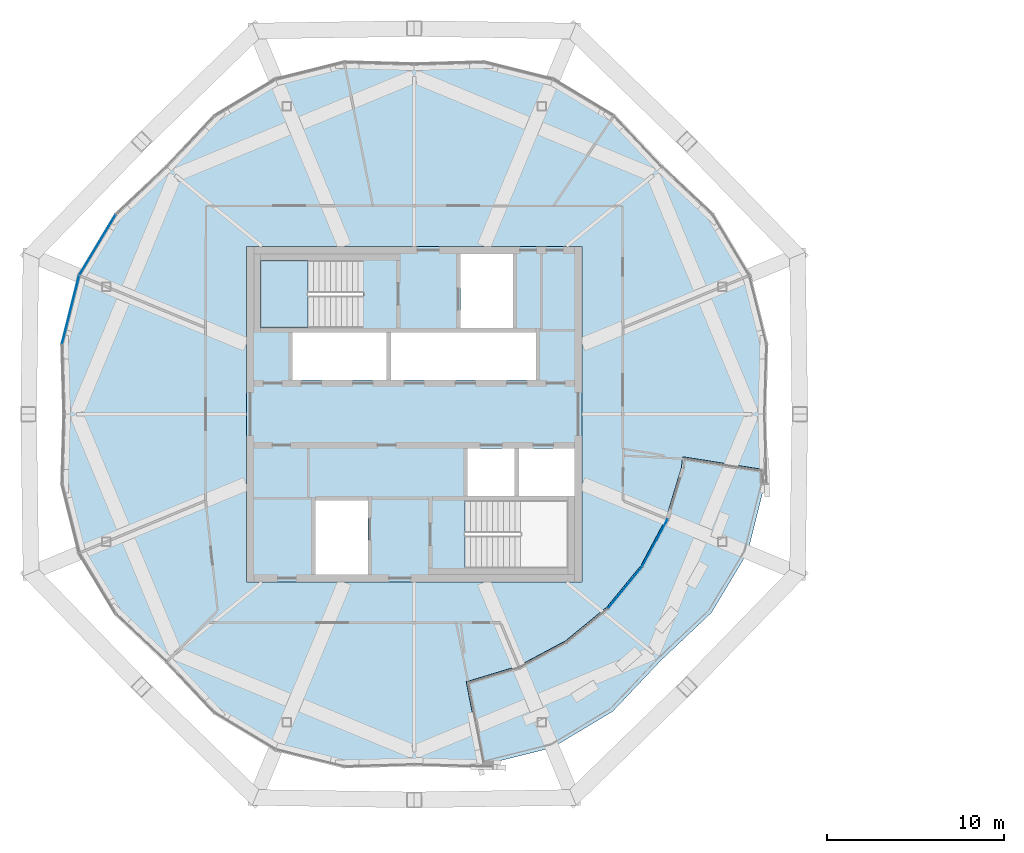
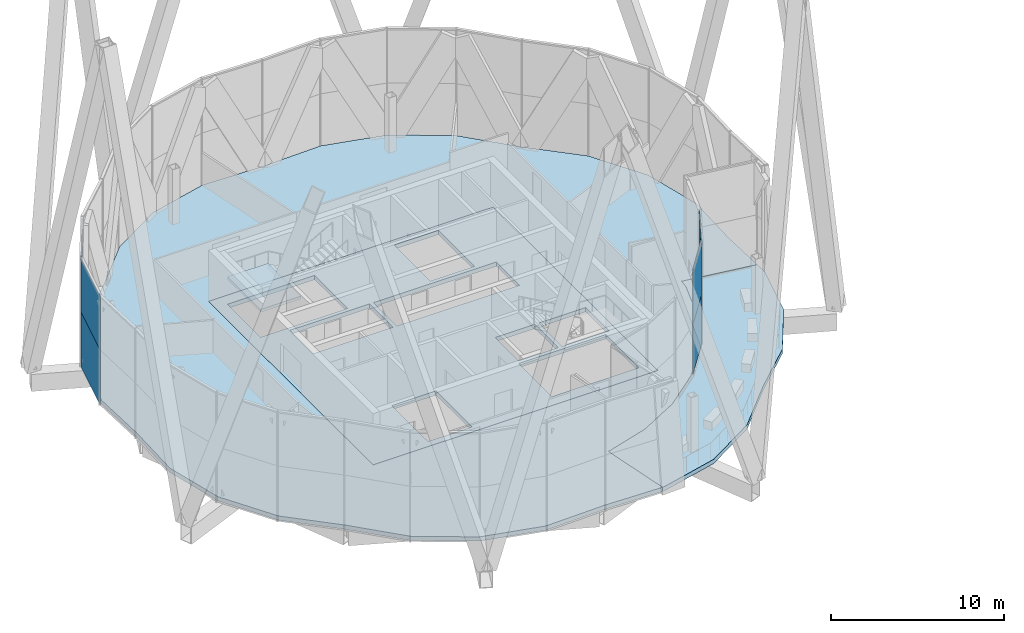
# One storey, part 41 of 53: 8 plates, 4 slabs, 3 elements without a shape of their own.
"""IFC4 building model written with IfcOpenShell, lengths in metres."""

from ifc_helpers import new_model, si_unit, direction, frame, origin, origin_2d, place, context, subcontext, project, spatial, polyline, rectangle, outline, extrude, material, layer, layer_set, type_object, element, aggregate, save


model = new_model("IFC4")

# Units and contexts
model_context = context("Model", 3, precision=1e-05, world=origin(), true_north=direction((0.0, 1.0)))
body_context = subcontext(model_context, "Body", "Model", "MODEL_VIEW")
ifc_project = project(units=[si_unit("LENGTHUNIT", "METRE"), si_unit("AREAUNIT", "SQUARE_METRE"), si_unit("VOLUMEUNIT", "CUBIC_METRE"), si_unit("PLANEANGLEUNIT", "RADIAN"), si_unit("MASSUNIT", "GRAM", prefix="KILO")], contexts=[model_context])

# Site, building, storey
site_placement = place(None, origin())
site = spatial("IfcSite", under=ifc_project, at=site_placement, CompositionType="ELEMENT")
building_placement = place(site_placement, origin())
building = spatial("IfcBuilding", under=site, at=building_placement, Name="Ogive Gate Towers", CompositionType="ELEMENT")
storey_placement = place(building_placement, frame((0.0, 0.0, 240.60009765625)))
storey = spatial("IfcBuildingStorey", under=building, at=storey_placement, Name="L57", CompositionType="ELEMENT", Elevation=240.60009765625)

# Slabs
ifc_material_1 = material(Name="Concrete C40/50", Category="concrete")
ifc_layer_1 = layer(ifc_material_1, 0.300048828125)
ifc_layer_set_1 = layer_set([ifc_layer_1], Name="Core slab C40/50 300 mm")
slab_type_1 = type_object("IfcSlabType", Name="Core slab C40/50 300 mm", PredefinedType="FLOOR", material=ifc_layer_set_1)
slab_1_placement = place(storey_placement, frame((0.0, 0.0, -0.300048828125)))
element("IfcSlab", 1, at=slab_1_placement, inside=storey, type_object=slab_type_1, Name="T1 L57 core slab", PredefinedType="FLOOR", context=body_context, shape_type="SweptSolid", body=[
    extrude(outline(polyline([(-45.5, -9.5), (-45.5, 9.5), (-26.5, 9.5), (-26.5, -9.5), (-45.5, -9.5)]), holes=[polyline([(-42.875, 1.925048828125), (-37.574951171875, 1.925048828125), (-37.574951171875, 4.625), (-42.875, 4.625), (-42.875, 1.925048828125)]), polyline([(-37.324951171875, 4.625), (-37.324951171875, 1.925048828125), (-29.125, 1.925048828125), (-29.125, 4.625), (-37.324951171875, 4.625)]), polyline([(-30.324951171875, -1.925048828125), (-32.97509765625, -1.925048828125), (-32.97509765625, -4.625), (-30.324951171875, -4.625), (-30.324951171875, -1.925048828125)]), polyline([(-26.949951171875, -4.625), (-26.949951171875, -1.925048828125), (-30.074951171875, -1.925048828125), (-30.074951171875, -4.625), (-26.949951171875, -4.625)]), polyline([(-33.375, 4.875), (-30.425048828125, 4.875), (-30.425048828125, 9.050048828125), (-33.375, 9.050048828125), (-33.375, 4.875)]), polyline([(-41.574951171875, -4.875), (-41.574951171875, -9.050048828125), (-38.625, -9.050048828125), (-38.625, -4.875), (-41.574951171875, -4.875)]), polyline([(-44.699951171875, 4.875), (-38.885009765625, 4.875), (-38.885009765625, 8.699951171875), (-44.699951171875, 8.699951171875), (-44.699951171875, 4.875)]), polyline([(-27.300048828125, -8.699951171875), (-27.300048828125, -4.875), (-33.114990234375, -4.875), (-33.114990234375, -8.699951171875), (-27.300048828125, -8.699951171875)])]), origin(), (0.0, 0.0, 1.0), 0.300048828125),
])
ifc_material_2 = material(Name="Concrete C35/45", Category="concrete")
ifc_layer_2 = layer(ifc_material_2, 0.300048828125)
ifc_layer_set_2 = layer_set([ifc_layer_2], Name="Floor slab 300")
slab_type_2 = type_object("IfcSlabType", Name="Floor slab 300", PredefinedType="FLOOR", material=ifc_layer_set_2)
slab_2_placement = place(storey_placement, frame((0.0, 0.0, -0.300048828125)))
element("IfcSlab", 2, at=slab_2_placement, inside=storey, type_object=slab_type_2, Name="T1/L57/SSL001", PredefinedType="FLOOR", context=body_context, shape_type="SweptSolid", body=[
    extrude(outline(polyline([(-39.94287109375, -19.82177734375), (-36.0, -19.7099609375), (-32.05712890625, -19.82177734375), (-32.1474609375, -19.819091796875), (-33.060791015625, -15.12060546875), (-32.99365234375, -15.114013671875), (-30.102783203125, -14.237060546875), (-27.438720703125, -12.81298828125), (-25.103515625, -10.896484375), (-23.18701171875, -8.561279296875), (-21.762939453125, -5.897216796875), (-20.885986328125, -3.00634765625), (-20.82666015625, -2.4033203125), (-16.201171875, -3.1357421875), (-16.17822265625, -3.94287109375), (-16.2900390625, 0.0), (-16.17822265625, 3.94287109375), (-17.1435546875, 7.810546875), (-19.196044921875, 11.22802734375), (-22.06298828125, 13.93701171875), (-24.77197265625, 16.803955078125), (-28.189453125, 18.8564453125), (-32.05712890625, 19.82177734375), (-36.0, 19.7099609375), (-39.94287109375, 19.82177734375), (-43.810546875, 18.8564453125), (-47.22802734375, 16.803955078125), (-49.93701171875, 13.93701171875), (-52.803955078125, 11.22802734375), (-54.8564453125, 7.810546875), (-55.82177734375, 3.94287109375), (-55.7099609375, 0.0), (-55.82177734375, -3.94287109375), (-54.8564453125, -7.810546875), (-52.803955078125, -11.22802734375), (-49.93701171875, -13.93701171875), (-47.22802734375, -16.803955078125), (-43.810546875, -18.8564453125), (-39.94287109375, -19.82177734375)]), holes=[polyline([(-26.5, -9.5), (-45.5, -9.5), (-45.5, 9.5), (-26.5, 9.5), (-26.5, -9.5)])]), origin(), (0.0, 0.0, 1.0), 0.300048828125),
])

# Curtain wall, plates
ifc_material_3 = material(Name="Pale metal aluminium", Category="aluminium")
curtain_wall_type_1 = type_object("IfcCurtainWallType", Name="Sky garden glazing", PredefinedType="NOTDEFINED", material=ifc_material_3)
curtain_wall_1_placement = place(storey_placement, origin())
curtain_wall_1 = element("IfcCurtainWall", 3, at=curtain_wall_1_placement, inside=storey, type_object=curtain_wall_type_1, Name="CW4 T1 ECW02b", PredefinedType="NOTDEFINED")
ifc_material_4 = material(Name="Clear glass", Category="glass")
ifc_layer_3 = layer(ifc_material_4, 0.028076171875)
ifc_layer_set_3 = layer_set([ifc_layer_3], Name="Sky garden glazing glass panel")
plate_type_1 = type_object("IfcPlateType", Name="Sky garden glazing glass panel", PredefinedType="CURTAIN_PANEL", material=ifc_layer_set_3)
plate_1_placement = place(storey_placement, frame((-22.385986328125, -7.27490234375, 0.095947265625), z_axis=(0.0, 0.0, 1.0), x_axis=(-0.471381344324, -0.881929491639, 0.0)))
plate_1 = element("IfcPlate", 4, at=plate_1_placement, type_object=plate_type_1, Name="CW4 glass panel", PredefinedType="CURTAIN_PANEL", context=body_context, shape_type="SweptSolid", body=[
    extrude(rectangle(XDim=2.9931640625, YDim=0.028076171875, at=origin_2d()), origin(), (0.0, 0.0, 1.0), 3.50390625),
])
plate_2_placement = place(storey_placement, frame((-22.385986328125, -7.27490234375, 3.60009765625), z_axis=(0.0, 0.0, 1.0), x_axis=(-0.471381344324, -0.881929491639, 0.0)))
plate_2 = element("IfcPlate", 5, at=plate_2_placement, type_object=plate_type_1, Name="CW4 glass panel", PredefinedType="CURTAIN_PANEL", context=body_context, shape_type="SweptSolid", body=[
    extrude(rectangle(XDim=2.9931640625, YDim=0.028076171875, at=origin_2d()), origin(), (0.0, 0.0, 1.0), 3.803955078125),
])
plate_3_placement = place(storey_placement, frame((-24.069091796875, -9.793701171875, 0.095947265625), z_axis=(0.0, 0.0, 1.0), x_axis=(-0.634393284164, -0.773010453363, 0.0)))
plate_3 = element("IfcPlate", 6, at=plate_3_placement, type_object=plate_type_1, Name="CW4 glass panel", PredefinedType="CURTAIN_PANEL", context=body_context, shape_type="SweptSolid", body=[
    extrude(rectangle(XDim=2.9931640625, YDim=0.028076171875, at=origin_2d()), origin(), (0.0, 0.0, 1.0), 3.50390625),
])
plate_4_placement = place(storey_placement, frame((-24.069091796875, -9.793701171875, 3.60009765625), z_axis=(0.0, 0.0, 1.0), x_axis=(-0.634393284164, -0.773010453363, 0.0)))
plate_4 = element("IfcPlate", 7, at=plate_4_placement, type_object=plate_type_1, Name="CW4 glass panel", PredefinedType="CURTAIN_PANEL", context=body_context, shape_type="SweptSolid", body=[
    extrude(rectangle(XDim=2.9931640625, YDim=0.028076171875, at=origin_2d()), origin(), (0.0, 0.0, 1.0), 3.803955078125),
])
aggregate(curtain_wall_1, [plate_1, plate_2, plate_3, plate_4])

# Stair, slab
stair_type = type_object("IfcStairType", Name="Escape stair 1840 wide", PredefinedType="HALF_TURN_STAIR", material=ifc_material_1)
stair_placement = place(storey_placement, origin())
stair = element("IfcStair", 8, at=stair_placement, inside=storey, type_object=stair_type, Name="L57 Escape stair 1", PredefinedType="HALF_TURN_STAIR")
ifc_layer_4 = layer(ifc_material_1, 0.199951171875)
ifc_layer_set_4 = layer_set([ifc_layer_4], Name="Stair landing 200 mm")
slab_type_3 = type_object("IfcSlabType", Name="Stair landing 200 mm", PredefinedType="LANDING", material=ifc_layer_set_4)
slab_3_placement = place(storey_placement, frame((0.0, 0.0, 1.75)))
slab_3 = element("IfcSlab", 9, at=slab_3_placement, type_object=slab_type_3, Name="ST1 landing 1", PredefinedType="LANDING", context=body_context, shape_type="SweptSolid", body=[
    extrude(outline(polyline([(-42.00146484375, 8.699951171875), (-44.699951171875, 8.699951171875), (-44.699951171875, 4.875), (-42.00146484375, 4.875), (-42.00146484375, 8.699951171875)])), origin(), (0.0, 0.0, 1.0), 0.199951171875),
])
aggregate(stair, [slab_3])

# Slab
ifc_layer_5 = layer(ifc_material_2, 0.300048828125)
ifc_layer_set_5 = layer_set([ifc_layer_5], Name="Terrace slab 300")
slab_type_4 = type_object("IfcSlabType", Name="Terrace slab 300", PredefinedType="FLOOR", material=ifc_layer_set_5)
slab_4_placement = place(storey_placement, frame((0.0, 0.0, -0.300048828125)))
element("IfcSlab", 10, at=slab_4_placement, inside=storey, type_object=slab_type_4, Name="T1/L57/SSL002", PredefinedType="FLOOR", context=body_context, shape_type="SweptSolid", body=[
    extrude(outline(polyline([(-33.060791015625, -15.12060546875), (-32.1474609375, -19.819091796875), (-32.05712890625, -19.82177734375), (-28.189453125, -18.8564453125), (-24.77197265625, -16.803955078125), (-22.06298828125, -13.93701171875), (-19.196044921875, -11.22802734375), (-17.1435546875, -7.810546875), (-16.17822265625, -3.94287109375), (-16.201171875, -3.1357421875), (-20.82666015625, -2.4033203125), (-20.885986328125, -3.00634765625), (-21.762939453125, -5.897216796875), (-23.18701171875, -8.561279296875), (-25.103515625, -10.896484375), (-27.438720703125, -12.81298828125), (-30.102783203125, -14.237060546875), (-32.99365234375, -15.114013671875), (-33.060791015625, -15.12060546875)])), origin(), (0.0, 0.0, 1.0), 0.300048828125),
])

# Curtain wall, plates
curtain_wall_type_2 = type_object("IfcCurtainWallType", Name="Tower unitised wall, high zone", PredefinedType="NOTDEFINED", material=ifc_material_3)
curtain_wall_2_placement = place(storey_placement, origin())
curtain_wall_2 = element("IfcCurtainWall", 11, at=curtain_wall_2_placement, inside=storey, type_object=curtain_wall_type_2, Name="CW2 T1 ECW06", PredefinedType="NOTDEFINED")
ifc_layer_6 = layer(ifc_material_4, 0.028076171875)
ifc_layer_set_6 = layer_set([ifc_layer_6], Name="Tower unitised wall, high zone glass panel")
plate_type_2 = type_object("IfcPlateType", Name="Tower unitised wall, high zone glass panel", PredefinedType="CURTAIN_PANEL", material=ifc_layer_set_6)
plate_5_placement = place(storey_placement, frame((-55.435791015625, 5.9013671875, -0.300048828125), z_axis=(0.0, 0.0, 1.0), x_axis=(0.242142042488, 0.970240810964, 0.0)))
plate_5 = element("IfcPlate", 12, at=plate_5_placement, type_object=plate_type_2, Name="CW2 glass panel", PredefinedType="CURTAIN_PANEL", context=body_context, shape_type="SweptSolid", body=[
    extrude(rectangle(XDim=3.953125, YDim=0.028076171875, at=origin_2d()), origin(), (0.0, 0.0, 1.0), 3.89990234375),
])
plate_6_placement = place(storey_placement, frame((-55.435791015625, 5.9013671875, 3.60009765625), z_axis=(0.0, 0.0, 1.0), x_axis=(0.242142042488, 0.970240810964, 0.0)))
plate_6 = element("IfcPlate", 13, at=plate_6_placement, type_object=plate_type_2, Name="CW2 glass panel", PredefinedType="CURTAIN_PANEL", context=body_context, shape_type="SweptSolid", body=[
    extrude(rectangle(XDim=3.953125, YDim=0.028076171875, at=origin_2d()), origin(), (0.0, 0.0, 1.0), 3.803955078125),
])
plate_7_placement = place(storey_placement, frame((-53.916259765625, 9.5703125, -0.300048828125), z_axis=(0.0, 0.0, 1.0), x_axis=(0.514843576563, 0.85728413707, 0.0)))
plate_7 = element("IfcPlate", 14, at=plate_7_placement, type_object=plate_type_2, Name="CW2 glass panel", PredefinedType="CURTAIN_PANEL", context=body_context, shape_type="SweptSolid", body=[
    extrude(rectangle(XDim=3.952880859375, YDim=0.028076171875, at=origin_2d()), origin(), (0.0, 0.0, 1.0), 3.89990234375),
])
plate_8_placement = place(storey_placement, frame((-53.916259765625, 9.5703125, 3.60009765625), z_axis=(0.0, 0.0, 1.0), x_axis=(0.514843576563, 0.85728413707, 0.0)))
plate_8 = element("IfcPlate", 15, at=plate_8_placement, type_object=plate_type_2, Name="CW2 glass panel", PredefinedType="CURTAIN_PANEL", context=body_context, shape_type="SweptSolid", body=[
    extrude(rectangle(XDim=3.952880859375, YDim=0.028076171875, at=origin_2d()), origin(), (0.0, 0.0, 1.0), 3.803955078125),
])
aggregate(curtain_wall_2, [plate_5, plate_6, plate_7, plate_8])

save(model, "model.ifc")
